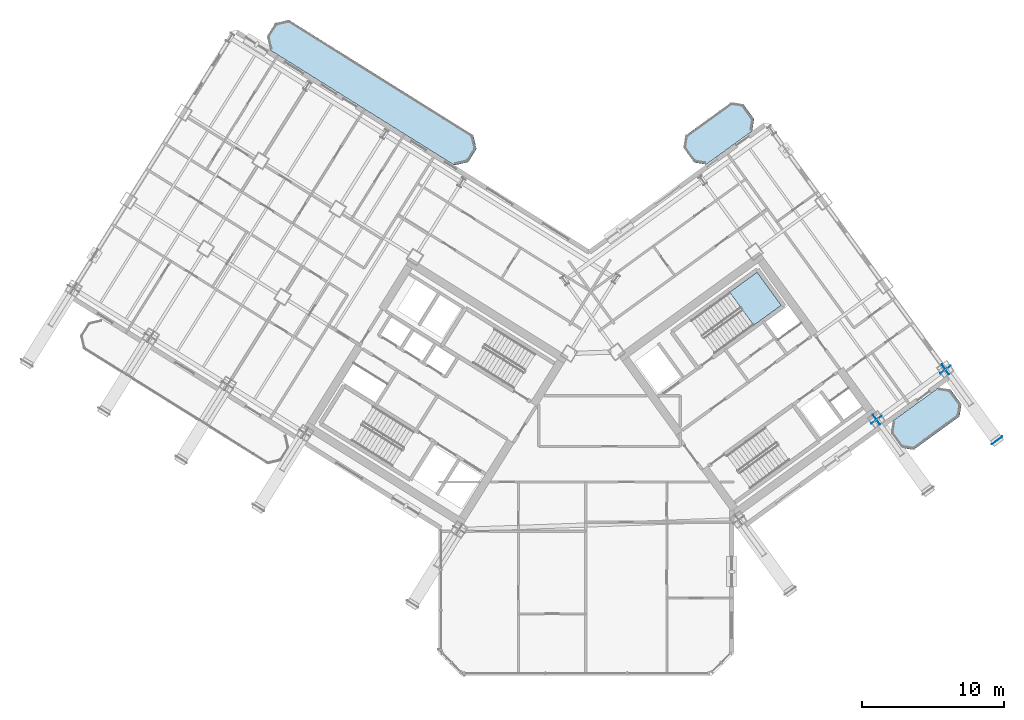
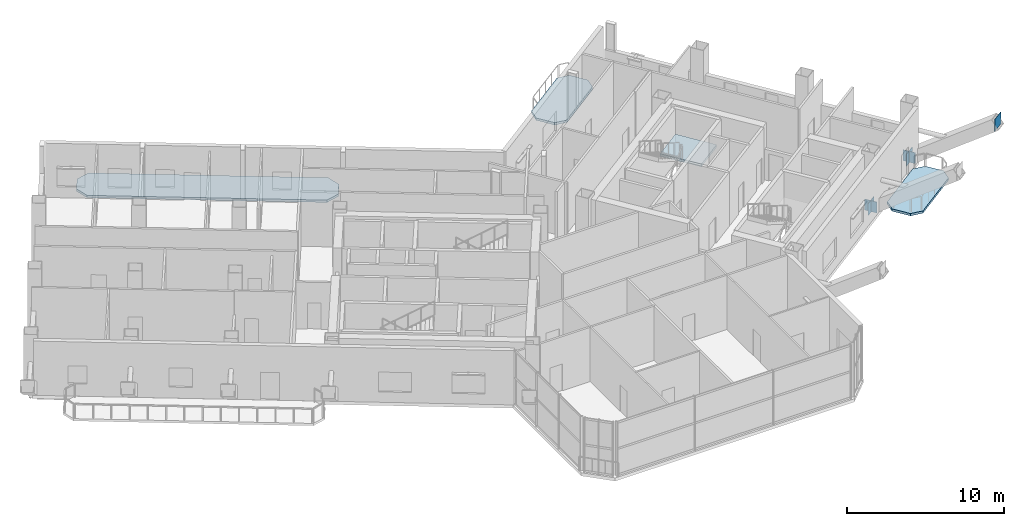
# One storey, part 15 of 32: 5 plates, 4 slabs, 1 element without a shape of its own.
"""IFC4 building model written with IfcOpenShell, lengths in metres."""

from ifc_helpers import new_model, si_unit, direction, frame, origin, origin_2d, place, context, subcontext, project, spatial, polyline, rectangle, outline, extrude, source, transform, mapped, material, layer, layer_set, type_object, element, aggregate, save


model = new_model("IFC4")

# Units and contexts
model_context = context("Model", 3, precision=1e-05, world=origin(), true_north=direction((0.0, 1.0)))
body_context = subcontext(model_context, "Body", "Model", "MODEL_VIEW")
ifc_project = project(units=[si_unit("LENGTHUNIT", "METRE"), si_unit("AREAUNIT", "SQUARE_METRE"), si_unit("VOLUMEUNIT", "CUBIC_METRE"), si_unit("PLANEANGLEUNIT", "RADIAN"), si_unit("MASSUNIT", "GRAM", prefix="KILO")], contexts=[model_context])

# Site, building, storey
site_placement = place(None, origin())
site = spatial("IfcSite", under=ifc_project, at=site_placement, CompositionType="ELEMENT")
building_placement = place(site_placement, origin())
building = spatial("IfcBuilding", under=site, at=building_placement, Name="Tlacorven Tower", CompositionType="ELEMENT")
storey_placement = place(building_placement, frame((0.0, 0.0, 123.300048828125)))
storey = spatial("IfcBuildingStorey", under=building, at=storey_placement, Name="L31", CompositionType="ELEMENT", Elevation=123.300048828125)

# Slabs
ifc_material_1 = material(Name="Precast concrete C45/55", Category="concrete")
ifc_layer_1 = layer(ifc_material_1, 0.179931640625)
ifc_layer_set_1 = layer_set([ifc_layer_1], Name="Precast concrete C45/55")
slab_type_1 = type_object("IfcSlabType", Name="SL-BAL-180", PredefinedType="USERDEFINED", material=ifc_layer_set_1)
slab_1_placement = place(storey_placement, frame((0.0, 0.0, -0.179931640625)))
element("IfcSlab", 1, at=slab_1_placement, inside=storey, type_object=slab_type_1, Name="L31 West Wing Balcony Ribbon IN", ObjectType="BALCONY SLAB", PredefinedType="USERDEFINED", context=body_context, shape_type="SweptSolid", body=[
    extrude(outline(polyline([(34.0419921875, 39.835693359375), (21.06689453125, 47.943359375), (20.102294921875, 47.720703125), (19.52197265625, 46.7919921875), (19.744873046875, 45.827392578125), (32.719970703125, 37.7197265625), (33.6845703125, 37.9423828125), (34.2646484375, 38.87109375), (34.0419921875, 39.835693359375)])), origin(), (0.0, 0.0, 1.0), 0.179931640625),
])
slab_2_placement = place(storey_placement, frame((0.0, 0.0, -0.179931640625)))
element("IfcSlab", 2, at=slab_2_placement, inside=storey, type_object=slab_type_1, Name="L31 East Wing Balcony Ribbon OUT", ObjectType="BALCONY SLAB", PredefinedType="USERDEFINED", context=body_context, shape_type="SweptSolid", body=[
    extrude(outline(polyline([(65.025634765625, 17.69482421875), (68.26171875, 20.046142578125), (68.394287109375, 20.884033203125), (67.633056640625, 21.931884765625), (66.795166015625, 22.064453125), (63.55908203125, 19.71337890625), (63.42626953125, 18.875244140625), (64.1875, 17.82763671875), (65.025634765625, 17.69482421875)])), origin(), (0.0, 0.0, 1.0), 0.179931640625),
])
slab_3_placement = place(storey_placement, frame((0.0, 0.0, -0.179931640625)))
element("IfcSlab", 3, at=slab_3_placement, inside=storey, type_object=slab_type_1, Name="L31 East Wing Balcony Ribbon IN", ObjectType="BALCONY SLAB", PredefinedType="USERDEFINED", context=body_context, shape_type="SweptSolid", body=[
    extrude(outline(polyline([(50.433837890625, 37.77880859375), (53.669921875, 40.1298828125), (53.802490234375, 40.968017578125), (53.04150390625, 42.015625), (52.203369140625, 42.1484375), (48.96728515625, 39.79736328125), (48.83447265625, 38.959228515625), (49.595703125, 37.91162109375), (50.433837890625, 37.77880859375)])), origin(), (0.0, 0.0, 1.0), 0.179931640625),
])

# Stair, slab
ifc_material_2 = material(Name="Concrete C40/50", Category="concrete")
stair_type = type_object("IfcStairType", Name="ST-CORE-DLG", PredefinedType="HALF_TURN_STAIR", material=ifc_material_2)
stair_placement = place(storey_placement, origin())
stair = element("IfcStair", 4, at=stair_placement, inside=storey, type_object=stair_type, Name="L31 Protected Exit Stair East 1", PredefinedType="HALF_TURN_STAIR")
ifc_layer_2 = layer(ifc_material_2, 0.199951171875)
ifc_layer_set_2 = layer_set([ifc_layer_2], Name="Concrete C40/50")
slab_type_2 = type_object("IfcSlabType", Name="SL-LND-200", PredefinedType="LANDING", material=ifc_layer_set_2)
slab_4_placement = place(storey_placement, frame((0.0, 0.0, 2.050048828125)))
slab_4 = element("IfcSlab", 5, at=slab_4_placement, type_object=slab_type_2, Name="ST-E1 landing 1", PredefinedType="LANDING", context=body_context, shape_type="SweptSolid", body=[
    extrude(outline(polyline([(53.77734375, 26.456787109375), (55.7109375, 27.861572265625), (54.01806640625, 30.19140625), (52.08447265625, 28.78662109375), (53.77734375, 26.456787109375)])), origin(), (0.0, 0.0, 1.0), 0.199951171875),
])
aggregate(stair, [slab_4])

# Plates
ifc_material_3 = material(Name="Steel S460M", Category="steel")
ifc_layer_3 = layer(ifc_material_3, 0.02392578125)
ifc_layer_set_3 = layer_set([ifc_layer_3], Name="Steel S460M")
plate_type_1 = type_object("IfcPlateType", Name="PL-CAP-END1", PredefinedType="USERDEFINED", material=ifc_layer_set_3)
shared_shape_1 = source(origin(), body_context, "Body", "SweptSolid", [
    extrude(rectangle(XDim=0.02392578125, YDim=0.929931640625, at=origin_2d()), origin(), (0.0, 0.0, 1.0), 0.929931640625),
])
for number, where, z_axis, x_axis, name in (
    (6, (62.423095703125, 19.813720703125, -0.453125), (0.0, 0.0, 1.0), (0.587785265382, -0.809016984865, 0.0), "L31 hollow end cap plate RAK-L31-E3 1"),
    (7, (67.27734375, 23.34033203125, -0.453125), (0.0, 0.0, 1.0), (0.587785342477, -0.809016928852, 0.0), "L31 hollow end cap plate RAK-L31-E4 1"),
    (8, (70.902587890625, 18.350830078125, 4.0234375), (0.0, 0.0, 1.0), (0.587785342477, -0.809016928852, 0.0), "L31 hollow end cap plate RAK-L31-E4 2"),
):
    element("IfcPlate", number, at=place(storey_placement, frame(where, z_axis=z_axis, x_axis=x_axis)), inside=storey, type_object=plate_type_1, Name=name, ObjectType="END PLATE", PredefinedType="USERDEFINED", context=body_context, shape_type="MappedRepresentation", body=[
        mapped(shared_shape_1, transform((0.0, 0.0, 0.0), scale=1.0)),
    ])
ifc_layer_4 = layer(ifc_material_3, 0.031982421875)
ifc_layer_set_4 = layer_set([ifc_layer_4], Name="Steel S460M")
plate_type_2 = type_object("IfcPlateType", Name="PL-NODE-KN1", PredefinedType="SHEET", material=ifc_layer_set_4)
shared_shape_2 = source(origin(), body_context, "Body", "SweptSolid", [
    extrude(rectangle(XDim=0.85009765625, YDim=0.031982421875, at=origin_2d()), origin(), (0.0, 0.0, 1.0), 0.85009765625),
])
for number, where, z_axis, x_axis, name in (
    (9, (62.41845703125, 19.8203125, -0.419189453125), (0.0, 0.0, 1.0), (0.587785265382, -0.809016984865, 0.0), "L31 structural node gusset plate RAK-L31-E3"),
    (10, (67.2724609375, 23.346923828125, -0.419189453125), (0.0, 0.0, 1.0), (0.587785342477, -0.809016928852, 0.0), "L31 structural node gusset plate RAK-L31-E4"),
):
    element("IfcPlate", number, at=place(storey_placement, frame(where, z_axis=z_axis, x_axis=x_axis)), inside=storey, type_object=plate_type_2, Name=name, PredefinedType="SHEET", context=body_context, shape_type="MappedRepresentation", body=[
        mapped(shared_shape_2, transform((0.0, 0.0, 0.0), scale=1.0)),
    ])

save(model, "model.ifc")
